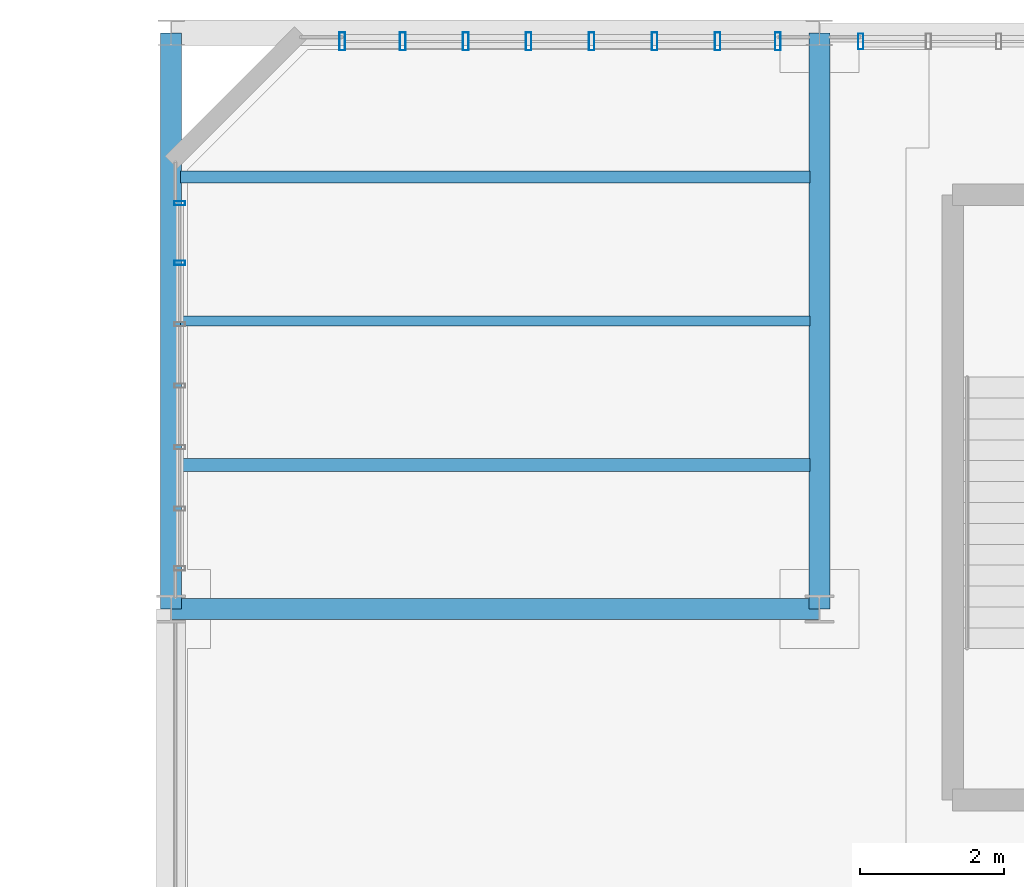
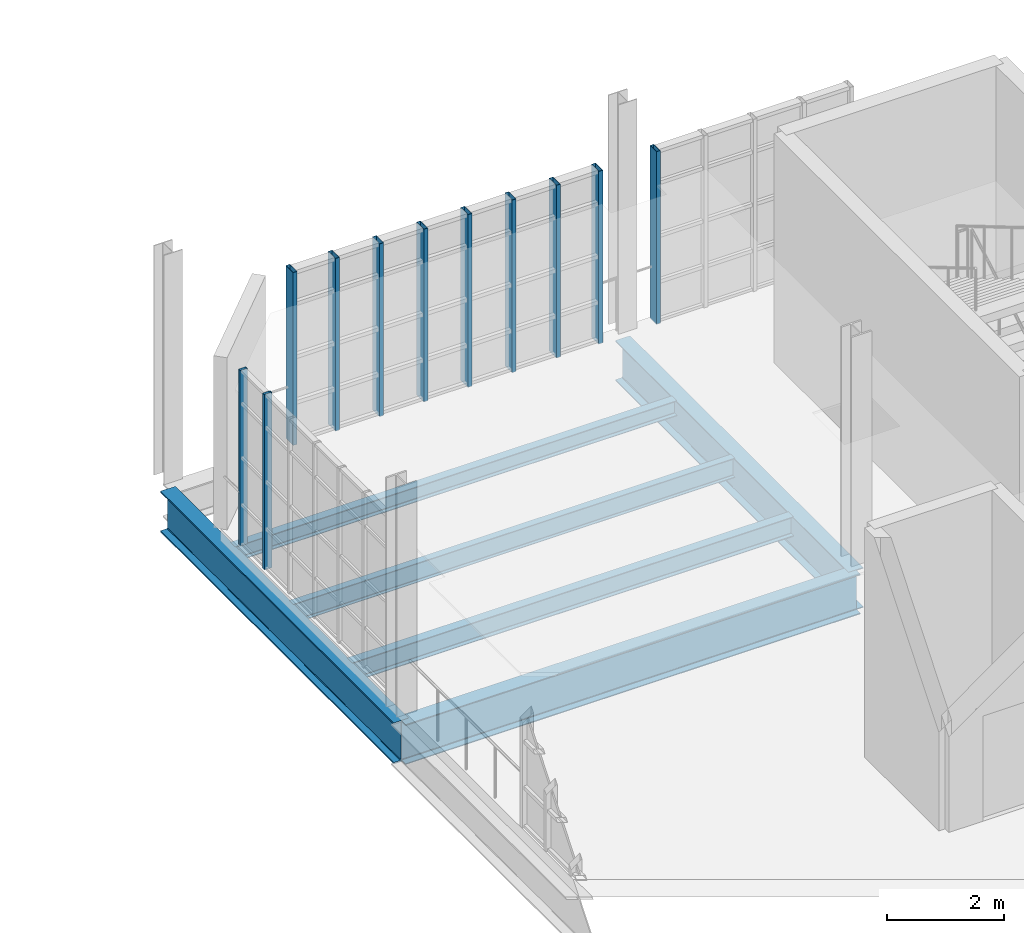
# One storey, part 47 of 85: 11 members, 6 beams, 3 elements without a shape of their own.
"""IFC4 building model written with IfcOpenShell, lengths in metres."""

from ifc_helpers import new_model, si_unit, direction, frame, origin, origin_2d, place, context, subcontext, project, spatial, hollow_rectangle, i_section, extrude, material, layer, layer_set, material_profile, profile_set, type_object, element, aggregate, save


model = new_model("IFC4")

# Units and contexts
model_context = context("Model", 3, precision=1e-05, world=origin(), true_north=direction((0.0, 1.0)))
body_context = subcontext(model_context, "Body", "Model", "MODEL_VIEW")
ifc_project = project(units=[si_unit("LENGTHUNIT", "METRE"), si_unit("AREAUNIT", "SQUARE_METRE"), si_unit("VOLUMEUNIT", "CUBIC_METRE"), si_unit("PLANEANGLEUNIT", "RADIAN"), si_unit("MASSUNIT", "GRAM", prefix="KILO"), si_unit("THERMODYNAMICTEMPERATUREUNIT", "KELVIN"), si_unit("POWERUNIT", "WATT")], contexts=[model_context])

# Site, building, storey
site_placement = place(None, origin())
site = spatial("IfcSite", under=ifc_project, at=site_placement, CompositionType="ELEMENT")
building_placement = place(site_placement, origin())
building = spatial("IfcBuilding", under=site, at=building_placement, Name="Zelmaris Science Centre", CompositionType="ELEMENT")
storey_placement = place(building_placement, frame((0.0, 0.0, 20.39990234375)))
storey = spatial("IfcBuildingStorey", under=building, at=storey_placement, Name="L04", CompositionType="ELEMENT", Elevation=20.39990234375)

# Curtain wall, members
ifc_material_1 = material(Name="Anodised architectural aluminium 6063-T6", Category="aluminium")
ifc_layer_1 = layer(ifc_material_1, 0.219970703125, Name="Anodised architectural aluminium 6063-T6")
ifc_layer_set_1 = layer_set([ifc_layer_1], Name="Anodised architectural aluminium 6063-T6")
curtain_wall_type_1 = type_object("IfcCurtainWallType", Name="Curtain Wall CW-04", PredefinedType="USERDEFINED", material=ifc_layer_set_1)
curtain_wall_1_placement = place(storey_placement, origin())
curtain_wall_1 = element("IfcCurtainWall", 1, at=curtain_wall_1_placement, inside=storey, type_object=curtain_wall_type_1, Name="L04 Unitised curtain wall 340", ObjectType="GLAZED CURTAIN WALL", PredefinedType="USERDEFINED")
ifc_material_profile_1 = material_profile(ifc_material_1, hollow_rectangle(XDim=0.06005859375, YDim=0.14990234375, WallThickness=0.00341796875, at=origin_2d()), Name="ALU-MUL-60X150")
ifc_profile_set_1 = profile_set([ifc_material_profile_1], Name="Anodised architectural aluminium 6063-T6")
member_type_1 = type_object("IfcMemberType", Name="ALU-MUL-60X150", PredefinedType="MULLION", material=ifc_profile_set_1)
member_1_placement = place(storey_placement, frame((54.1201171875, 84.806640625, -0.014892578125), z_axis=(0.0, 0.0, 1.0), x_axis=(0.0, 1.0, 0.0)))
member_1 = element("IfcMember", 2, at=member_1_placement, type_object=member_type_1, Name="CW-04 mullion 6", PredefinedType="MULLION", context=body_context, shape_type="SweptSolid", body=[
    extrude(hollow_rectangle(XDim=0.06005859375, YDim=0.14990234375, WallThickness=0.00341796875, at=origin_2d()), origin(), (0.0, 0.0, 1.0), 3.6689453125),
])
member_2_placement = place(storey_placement, frame((54.1201171875, 85.634033203125, -0.014892578125), z_axis=(0.0, 0.0, 1.0), x_axis=(0.0, 1.0, 0.0)))
member_2 = element("IfcMember", 3, at=member_2_placement, type_object=member_type_1, Name="CW-04 mullion 7", PredefinedType="MULLION", context=body_context, shape_type="SweptSolid", body=[
    extrude(hollow_rectangle(XDim=0.06005859375, YDim=0.14990234375, WallThickness=0.00341796875, at=origin_2d()), origin(), (0.0, 0.0, 1.0), 3.6689453125),
])
aggregate(curtain_wall_1, [member_1, member_2])

# Curtain wall, member
ifc_layer_2 = layer(ifc_material_1, 0.199951171875, Name="Anodised architectural aluminium 6063-T6")
ifc_layer_set_2 = layer_set([ifc_layer_2], Name="Anodised architectural aluminium 6063-T6")
curtain_wall_type_2 = type_object("IfcCurtainWallType", Name="Curtain Wall CW-02", PredefinedType="USERDEFINED", material=ifc_layer_set_2)
curtain_wall_2_placement = place(storey_placement, origin())
curtain_wall_2 = element("IfcCurtainWall", 4, at=curtain_wall_2_placement, inside=storey, type_object=curtain_wall_type_2, Name="L04 Unitised curtain wall 342", ObjectType="GLAZED CURTAIN WALL", PredefinedType="USERDEFINED")
ifc_material_profile_2 = material_profile(ifc_material_1, hollow_rectangle(XDim=0.074951171875, YDim=0.219970703125, WallThickness=0.0048828125, at=origin_2d()), Name="ALU-MUL-75X220")
ifc_profile_set_2 = profile_set([ifc_material_profile_2], Name="Anodised architectural aluminium 6063-T6")
member_type_2 = type_object("IfcMemberType", Name="ALU-MUL-75X220", PredefinedType="MULLION", material=ifc_profile_set_2)
member_3_placement = place(storey_placement, frame((63.573486328125, 87.8798828125, -0.014892578125), z_axis=(0.0, 0.0, 1.0), x_axis=(1.0, 0.0, 0.0)))
member_3 = element("IfcMember", 5, at=member_3_placement, type_object=member_type_2, Name="CW-02 mullion 1", PredefinedType="MULLION", context=body_context, shape_type="SweptSolid", body=[
    extrude(hollow_rectangle(XDim=0.074951171875, YDim=0.219970703125, WallThickness=0.0048828125, at=origin_2d()), origin(), (0.0, 0.0, 1.0), 3.615966796875),
])
aggregate(curtain_wall_2, [member_3])

# Curtain wall, members
ifc_layer_3 = layer(ifc_material_1, 0.18994140625, Name="Anodised architectural aluminium 6063-T6")
ifc_layer_set_3 = layer_set([ifc_layer_3], Name="Anodised architectural aluminium 6063-T6")
curtain_wall_type_3 = type_object("IfcCurtainWallType", Name="Curtain Wall CW-01", PredefinedType="USERDEFINED", material=ifc_layer_set_3)
curtain_wall_3_placement = place(storey_placement, origin())
curtain_wall_3 = element("IfcCurtainWall", 6, at=curtain_wall_3_placement, inside=storey, type_object=curtain_wall_type_3, Name="L04 Unitised curtain wall 341", ObjectType="GLAZED CURTAIN WALL", PredefinedType="USERDEFINED")
ifc_material_profile_3 = material_profile(ifc_material_1, hollow_rectangle(XDim=0.080078125, YDim=0.25, WallThickness=0.0048828125, at=origin_2d()), Name="ALU-MUL-80X250")
ifc_profile_set_3 = profile_set([ifc_material_profile_3], Name="Anodised architectural aluminium 6063-T6")
member_type_3 = type_object("IfcMemberType", Name="ALU-MUL-80X250", PredefinedType="MULLION", material=ifc_profile_set_3)
member_4_placement = place(storey_placement, frame((56.3759765625, 87.8798828125, -0.014892578125), z_axis=(0.0, 0.0, 1.0), x_axis=(1.0, 0.0, 0.0)))
member_4 = element("IfcMember", 7, at=member_4_placement, type_object=member_type_3, Name="CW-01 mullion 1", PredefinedType="MULLION", context=body_context, shape_type="SweptSolid", body=[
    extrude(hollow_rectangle(XDim=0.080078125, YDim=0.25, WallThickness=0.0048828125, at=origin_2d()), origin(), (0.0, 0.0, 1.0), 3.615966796875),
])
member_5_placement = place(storey_placement, frame((57.21435546875, 87.8798828125, -0.014892578125), z_axis=(0.0, 0.0, 1.0), x_axis=(1.0, 0.0, 0.0)))
member_5 = element("IfcMember", 8, at=member_5_placement, type_object=member_type_3, Name="CW-01 mullion 2", PredefinedType="MULLION", context=body_context, shape_type="SweptSolid", body=[
    extrude(hollow_rectangle(XDim=0.080078125, YDim=0.25, WallThickness=0.0048828125, at=origin_2d()), origin(), (0.0, 0.0, 1.0), 3.615966796875),
])
member_6_placement = place(storey_placement, frame((58.088623046875, 87.8798828125, -0.014892578125), z_axis=(0.0, 0.0, 1.0), x_axis=(1.0, 0.0, 0.0)))
member_6 = element("IfcMember", 9, at=member_6_placement, type_object=member_type_3, Name="CW-01 mullion 3", PredefinedType="MULLION", context=body_context, shape_type="SweptSolid", body=[
    extrude(hollow_rectangle(XDim=0.080078125, YDim=0.25, WallThickness=0.0048828125, at=origin_2d()), origin(), (0.0, 0.0, 1.0), 3.615966796875),
])
member_7_placement = place(storey_placement, frame((58.962890625, 87.8798828125, -0.014892578125), z_axis=(0.0, 0.0, 1.0), x_axis=(1.0, 0.0, 0.0)))
member_7 = element("IfcMember", 10, at=member_7_placement, type_object=member_type_3, Name="CW-01 mullion 4", PredefinedType="MULLION", context=body_context, shape_type="SweptSolid", body=[
    extrude(hollow_rectangle(XDim=0.080078125, YDim=0.25, WallThickness=0.0048828125, at=origin_2d()), origin(), (0.0, 0.0, 1.0), 3.615966796875),
])
member_8_placement = place(storey_placement, frame((59.837158203125, 87.8798828125, -0.014892578125), z_axis=(0.0, 0.0, 1.0), x_axis=(1.0, 0.0, 0.0)))
member_8 = element("IfcMember", 11, at=member_8_placement, type_object=member_type_3, Name="CW-01 mullion 5", PredefinedType="MULLION", context=body_context, shape_type="SweptSolid", body=[
    extrude(hollow_rectangle(XDim=0.080078125, YDim=0.25, WallThickness=0.0048828125, at=origin_2d()), origin(), (0.0, 0.0, 1.0), 3.615966796875),
])
member_9_placement = place(storey_placement, frame((60.71142578125, 87.8798828125, -0.014892578125), z_axis=(0.0, 0.0, 1.0), x_axis=(1.0, 0.0, 0.0)))
member_9 = element("IfcMember", 12, at=member_9_placement, type_object=member_type_3, Name="CW-01 mullion 6", PredefinedType="MULLION", context=body_context, shape_type="SweptSolid", body=[
    extrude(hollow_rectangle(XDim=0.080078125, YDim=0.25, WallThickness=0.0048828125, at=origin_2d()), origin(), (0.0, 0.0, 1.0), 3.615966796875),
])
member_10_placement = place(storey_placement, frame((61.585693359375, 87.8798828125, -0.014892578125), z_axis=(0.0, 0.0, 1.0), x_axis=(1.0, 0.0, 0.0)))
member_10 = element("IfcMember", 13, at=member_10_placement, type_object=member_type_3, Name="CW-01 mullion 7", PredefinedType="MULLION", context=body_context, shape_type="SweptSolid", body=[
    extrude(hollow_rectangle(XDim=0.080078125, YDim=0.25, WallThickness=0.0048828125, at=origin_2d()), origin(), (0.0, 0.0, 1.0), 3.615966796875),
])
member_11_placement = place(storey_placement, frame((62.424072265625, 87.8798828125, -0.014892578125), z_axis=(0.0, 0.0, 1.0), x_axis=(1.0, 0.0, 0.0)))
member_11 = element("IfcMember", 14, at=member_11_placement, type_object=member_type_3, Name="CW-01 mullion 8", PredefinedType="MULLION", context=body_context, shape_type="SweptSolid", body=[
    extrude(hollow_rectangle(XDim=0.080078125, YDim=0.25, WallThickness=0.0048828125, at=origin_2d()), origin(), (0.0, 0.0, 1.0), 3.615966796875),
])
aggregate(curtain_wall_3, [member_4, member_5, member_6, member_7, member_8, member_9, member_10, member_11])

# Beams
ifc_material_2 = material(Name="Steel ASTM A992 Grade 50", Category="steel")
ifc_material_profile_4 = material_profile(ifc_material_2, i_section(OverallWidth=0.2919921875, OverallDepth=0.85888671875, WebThickness=0.01708984375, FlangeThickness=0.031005859375, FilletRadius=0.02001953125, at=origin_2d()), Name="W33X169")
ifc_profile_set_4 = profile_set([ifc_material_profile_4], Name="Steel ASTM A992 Grade 50")
beam_type_1 = type_object("IfcBeamType", Name="Beam G-29 W33X169", PredefinedType="BEAM", material=ifc_profile_set_4)
beam_1_placement = place(storey_placement, frame((54.0, 80.0, -0.679443359375), z_axis=(0.0, 1.0, 0.0), x_axis=(-1.0, 0.0, 0.0)))
element("IfcBeam", 15, at=beam_1_placement, inside=storey, type_object=beam_type_1, Name="L04 North-south girder 824", PredefinedType="BEAM", context=body_context, shape_type="SweptSolid", body=[
    extrude(i_section(OverallWidth=0.2919921875, OverallDepth=0.85888671875, WebThickness=0.01708984375, FlangeThickness=0.031005859375, FilletRadius=0.02001953125, at=origin_2d()), origin(), (0.0, 0.0, 1.0), 8.0),
])
ifc_material_profile_5 = material_profile(ifc_material_2, i_section(OverallWidth=0.2919921875, OverallDepth=0.8359375, WebThickness=0.013916015625, FlangeThickness=0.018798828125, FilletRadius=0.02001953125, at=origin_2d()), Name="W33X118")
ifc_profile_set_5 = profile_set([ifc_material_profile_5], Name="Steel ASTM A992 Grade 50")
beam_type_2 = type_object("IfcBeamType", Name="Beam G-30 W33X118", PredefinedType="BEAM", material=ifc_profile_set_5)
beam_2_placement = place(storey_placement, frame((63.0, 80.0, -0.66796875), z_axis=(0.0, 1.0, 0.0), x_axis=(-1.0, 0.0, 0.0)))
element("IfcBeam", 16, at=beam_2_placement, inside=storey, type_object=beam_type_2, Name="L04 North-south girder 825", PredefinedType="BEAM", context=body_context, shape_type="SweptSolid", body=[
    extrude(i_section(OverallWidth=0.2919921875, OverallDepth=0.8359375, WebThickness=0.013916015625, FlangeThickness=0.018798828125, FilletRadius=0.02001953125, at=origin_2d()), origin(), (0.0, 0.0, 1.0), 8.0),
])
beam_3_placement = place(storey_placement, frame((54.0, 80.0, -0.66796875), z_axis=(1.0, 0.0, 0.0), x_axis=(0.0, 1.0, 0.0)))
element("IfcBeam", 17, at=beam_3_placement, inside=storey, type_object=beam_type_2, Name="L04 East-west girder 856", PredefinedType="BEAM", context=body_context, shape_type="SweptSolid", body=[
    extrude(i_section(OverallWidth=0.2919921875, OverallDepth=0.8359375, WebThickness=0.013916015625, FlangeThickness=0.018798828125, FilletRadius=0.02001953125, at=origin_2d()), origin(), (0.0, 0.0, 1.0), 9.0),
])
ifc_material_profile_6 = material_profile(ifc_material_2, i_section(OverallWidth=0.177978515625, OverallDepth=0.408935546875, WebThickness=0.0087890625, FlangeThickness=0.014404296875, FilletRadius=0.011962890625, at=origin_2d()), Name="W16X45")
ifc_profile_set_6 = profile_set([ifc_material_profile_6], Name="Steel ASTM A992 Grade 50")
beam_type_3 = type_object("IfcBeamType", Name="Beam J-07 W16X45", PredefinedType="JOIST", material=ifc_profile_set_6)
beam_4_placement = place(storey_placement, frame((54.131103515625, 82.0, -0.454345703125), z_axis=(1.0, 0.0, 0.0), x_axis=(0.0, 1.0, 0.0)))
element("IfcBeam", 18, at=beam_4_placement, inside=storey, type_object=beam_type_3, Name="L04 Composite floor joist 393", PredefinedType="JOIST", context=body_context, shape_type="SweptSolid", body=[
    extrude(i_section(OverallWidth=0.177978515625, OverallDepth=0.408935546875, WebThickness=0.0087890625, FlangeThickness=0.014404296875, FilletRadius=0.011962890625, at=origin_2d()), origin(), (0.0, 0.0, 1.0), 8.73779296875),
])
ifc_material_profile_7 = material_profile(ifc_material_2, i_section(OverallWidth=0.139892578125, OverallDepth=0.404052734375, WebThickness=0.007080078125, FlangeThickness=0.01123046875, FilletRadius=0.011962890625, at=origin_2d()), Name="W16X31")
ifc_profile_set_7 = profile_set([ifc_material_profile_7], Name="Steel ASTM A992 Grade 50")
beam_type_4 = type_object("IfcBeamType", Name="Beam J-08 W16X31", PredefinedType="JOIST", material=ifc_profile_set_7)
beam_5_placement = place(storey_placement, frame((54.131103515625, 84.0, -0.451904296875), z_axis=(1.0, 0.0, 0.0), x_axis=(0.0, 1.0, 0.0)))
element("IfcBeam", 19, at=beam_5_placement, inside=storey, type_object=beam_type_4, Name="L04 Composite floor joist 394", PredefinedType="JOIST", context=body_context, shape_type="SweptSolid", body=[
    extrude(i_section(OverallWidth=0.139892578125, OverallDepth=0.404052734375, WebThickness=0.007080078125, FlangeThickness=0.01123046875, FilletRadius=0.011962890625, at=origin_2d()), origin(), (0.0, 0.0, 1.0), 8.73779296875),
])
ifc_material_profile_8 = material_profile(ifc_material_2, i_section(OverallWidth=0.1669921875, OverallDepth=0.318115234375, WebThickness=0.007568359375, FlangeThickness=0.01318359375, FilletRadius=0.011962890625, at=origin_2d()), Name="W12X35")
ifc_profile_set_8 = profile_set([ifc_material_profile_8], Name="Steel ASTM A992 Grade 50")
beam_type_5 = type_object("IfcBeamType", Name="Beam J-09 W12X35", PredefinedType="JOIST", material=ifc_profile_set_8)
beam_6_placement = place(storey_placement, frame((54.131103515625, 86.0, -0.408935546875), z_axis=(1.0, 0.0, 0.0), x_axis=(0.0, 1.0, 0.0)))
element("IfcBeam", 20, at=beam_6_placement, inside=storey, type_object=beam_type_5, Name="L04 Composite floor joist 395", PredefinedType="JOIST", context=body_context, shape_type="SweptSolid", body=[
    extrude(i_section(OverallWidth=0.1669921875, OverallDepth=0.318115234375, WebThickness=0.007568359375, FlangeThickness=0.01318359375, FilletRadius=0.011962890625, at=origin_2d()), origin(), (0.0, 0.0, 1.0), 8.73779296875),
])

save(model, "model.ifc")
